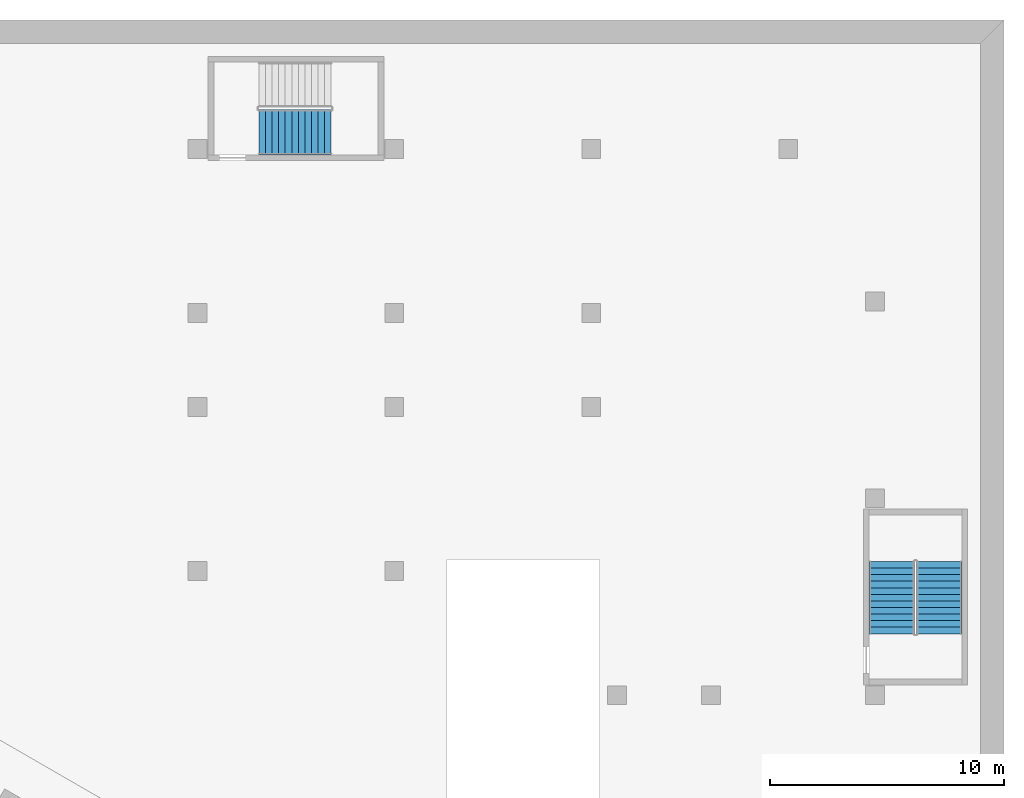
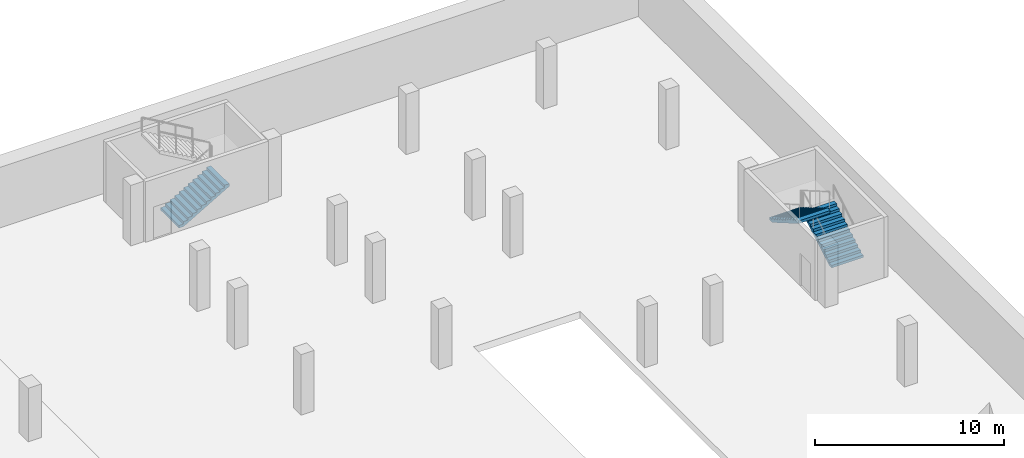
# One storey, part 17 of 25: 3 stair flights, 2 elements without a shape of their own.
"""IFC4 building model written with IfcOpenShell, lengths in metres."""

from ifc_helpers import new_model, si_unit, direction, frame, origin, place, context, subcontext, project, spatial, triangles, material, type_object, element, aggregate, save


model = new_model("IFC4")

# Units and contexts
model_context = context("Model", 3, precision=1e-05, world=origin(), true_north=direction((0.0, 1.0)))
body_context = subcontext(model_context, "Body", "Model", "MODEL_VIEW")
ifc_project = project(units=[si_unit("LENGTHUNIT", "METRE"), si_unit("AREAUNIT", "SQUARE_METRE"), si_unit("VOLUMEUNIT", "CUBIC_METRE"), si_unit("PLANEANGLEUNIT", "RADIAN"), si_unit("MASSUNIT", "GRAM", prefix="KILO")], contexts=[model_context])

# Site, building, storey
site_placement = place(None, origin())
site = spatial("IfcSite", under=ifc_project, at=site_placement, CompositionType="ELEMENT")
building_placement = place(site_placement, origin())
building = spatial("IfcBuilding", under=site, at=building_placement, Name="Verdalira Terraces Hotel", CompositionType="ELEMENT")
storey_placement = place(building_placement, frame((0.0, 0.0, -7.800049)))
storey = spatial("IfcBuildingStorey", under=building, at=storey_placement, Name="B2", CompositionType="ELEMENT", Elevation=-7.800048828125)

# Stair, stair flight
ifc_material_1 = material(Name="Concrete C40", Category="concrete")
stair_type = type_object("IfcStairType", Name="Car park stair 24 risers", PredefinedType="HALF_TURN_STAIR", material=ifc_material_1)
stair_1_placement = place(storey_placement, origin())
stair_1 = element("IfcStair", 1, at=stair_1_placement, inside=storey, type_object=stair_type, Name="B2 Exit stair Basement stair 3", PredefinedType="HALF_TURN_STAIR")
ifc_material_2 = material(Name="Concrete C40", Category="concrete")
stair_flight_type = type_object("IfcStairFlightType", Name="Car park stair flight 24 risers", PredefinedType="STRAIGHT", material=ifc_material_2)
stair_flight_1_placement = place(storey_placement, frame((22.225098, 49.212402, 0.0), z_axis=(0.0, 0.0, 1.0), x_axis=(1.0, 0.0, 0.0)))
stair_flight_1 = element("IfcStairFlight", 2, at=stair_flight_1_placement, type_object=stair_flight_type, Name="Basement stair 3 flight 1", NumberOfRisers=12, NumberOfTreads=11, PredefinedType="STRAIGHT", RiserHeight=0.1625, TreadLength=0.28, context=body_context, shape_type="Tessellation", body=[
    triangles([(0.0, 0.962524, 0.0), (0.298584, 0.962524, 0.0), (3.080078, 0.962524, 1.614258), (0.0, -0.962524, 0.0), (0.298584, -0.962524, 0.0), (3.080078, -0.962524, 1.614258), (3.080078, 0.962524, 1.787598), (2.800049, 0.962524, 1.787598), (3.080078, -0.962524, 1.787598), (2.800049, -0.962524, 1.787598), (2.800049, 0.962524, 1.625), (2.800049, -0.962524, 1.625), (2.52002, 0.962524, 1.625), (2.52002, -0.962524, 1.625), (2.52002, 0.962524, 1.462402), (2.52002, -0.962524, 1.462402), (2.23999, 0.962524, 1.462402), (2.23999, 0.962524, 1.300049), (2.23999, -0.962524, 1.462402), (2.23999, -0.962524, 1.300049), (1.959961, 0.962524, 1.300049), (1.959961, 0.962524, 1.137451), (1.959961, -0.962524, 1.300049), (1.959961, -0.962524, 1.137451), (1.679932, 0.962524, 1.137451), (1.679932, 0.962524, 0.975098), (1.679932, -0.962524, 1.137451), (1.679932, -0.962524, 0.975098), (1.399902, 0.962524, 0.975098), (1.399902, 0.962524, 0.8125), (1.399902, -0.962524, 0.975098), (1.399902, -0.962524, 0.8125), (1.120117, 0.962524, 0.8125), (1.120117, 0.962524, 0.649902), (1.120117, -0.962524, 0.8125), (1.120117, -0.962524, 0.649902), (0.840088, 0.962524, 0.649902), (0.840088, 0.962524, 0.487549), (0.840088, -0.962524, 0.649902), (0.840088, -0.962524, 0.487549), (0.560059, 0.962524, 0.487549), (0.560059, 0.962524, 0.324951), (0.560059, -0.962524, 0.487549), (0.560059, -0.962524, 0.324951), (0.280029, 0.962524, 0.324951), (0.280029, 0.962524, 0.162598), (0.280029, -0.962524, 0.324951), (0.280029, -0.962524, 0.162598), (0.0, 0.962524, 0.162598), (0.0, -0.962524, 0.162598), (0.0, -0.902367, 0.0), (0.0, -0.902367, 0.162598), (0.0, -0.842209, 0.0), (0.0, -0.842209, 0.162598), (0.0, -0.782051, 0.0), (0.0, -0.782051, 0.162598), (0.0, -0.721893, 0.0), (0.0, -0.721893, 0.162598), (0.0, -0.661736, 0.0), (0.0, -0.661736, 0.162598), (0.0, -0.601578, 0.0), (0.0, -0.601578, 0.162598), (0.0, -0.54142, 0.0), (0.0, -0.54142, 0.162598), (0.0, -0.481262, 0.0), (0.0, -0.481262, 0.162598), (0.0, -0.421104, 0.0), (0.0, -0.421104, 0.162598), (0.0, -0.360947, 0.0), (0.0, -0.360947, 0.162598), (0.0, -0.300789, 0.0), (0.0, -0.300789, 0.162598), (0.0, -0.240631, 0.0), (0.0, -0.240631, 0.162598), (0.0, -0.180473, 0.0), (0.0, -0.180473, 0.162598), (0.0, -0.120316, 0.0), (0.0, -0.120316, 0.162598), (0.0, -0.060158, 0.0), (0.0, -0.060158, 0.162598), (0.0, 0.0, 0.0), (0.0, 0.0, 0.162598), (0.0, 0.060158, 0.0), (0.0, 0.060158, 0.162598), (0.0, 0.120316, 0.0), (0.0, 0.120316, 0.162598), (0.0, 0.180473, 0.0), (0.0, 0.180473, 0.162598), (0.0, 0.240631, 0.0), (0.0, 0.240631, 0.162598), (0.0, 0.300789, 0.0), (0.0, 0.300789, 0.162598), (0.0, 0.360947, 0.0), (0.0, 0.360947, 0.162598), (0.0, 0.421104, 0.0), (0.0, 0.421104, 0.162598), (0.0, 0.481262, 0.0), (0.0, 0.481262, 0.162598), (0.0, 0.54142, 0.0), (0.0, 0.54142, 0.162598), (0.0, 0.601578, 0.0), (0.0, 0.601578, 0.162598), (0.0, 0.661736, 0.0), (0.0, 0.661736, 0.162598), (0.0, 0.721893, 0.0), (0.0, 0.721893, 0.162598), (0.0, 0.782051, 0.0), (0.0, 0.782051, 0.162598), (0.0, 0.842209, 0.0), (0.0, 0.842209, 0.162598), (0.0, 0.902367, 0.0), (0.0, 0.902367, 0.162598), (3.080078, -0.902367, 1.787598), (3.080078, -0.842209, 1.787598), (3.080078, -0.782051, 1.787598), (3.080078, -0.721893, 1.787598), (3.080078, -0.661736, 1.787598), (3.080078, -0.601578, 1.787598), (3.080078, -0.54142, 1.787598), (3.080078, -0.481262, 1.787598), (3.080078, -0.421104, 1.787598), (3.080078, -0.360947, 1.787598), (3.080078, -0.300789, 1.787598), (3.080078, -0.240631, 1.787598), (3.080078, -0.180473, 1.787598), (3.080078, -0.120316, 1.787598), (3.080078, -0.060158, 1.787598), (3.080078, 0.0, 1.787598), (3.080078, 0.060158, 1.787598), (3.080078, 0.120316, 1.787598), (3.080078, 0.180473, 1.787598), (3.080078, 0.240631, 1.787598), (3.080078, 0.300789, 1.787598), (3.080078, 0.360947, 1.787598), (3.080078, 0.421104, 1.787598), (3.080078, 0.481262, 1.787598), (3.080078, 0.54142, 1.787598), (3.080078, 0.601578, 1.787598), (3.080078, 0.661736, 1.787598), (3.080078, 0.721893, 1.787598), (3.080078, 0.782051, 1.787598), (3.080078, 0.842209, 1.787598), (3.080078, 0.902367, 1.787598), (3.080078, -0.902367, 1.614258), (3.080078, -0.842209, 1.614258), (3.080078, -0.782051, 1.614258), (3.080078, -0.721893, 1.614258), (3.080078, -0.661736, 1.614258), (3.080078, -0.601578, 1.614258), (3.080078, -0.54142, 1.614258), (3.080078, -0.481262, 1.614258), (3.080078, -0.421104, 1.614258), (3.080078, -0.360947, 1.614258), (3.080078, -0.300789, 1.614258), (3.080078, -0.240631, 1.614258), (3.080078, -0.180473, 1.614258), (3.080078, -0.120316, 1.614258), (3.080078, -0.060158, 1.614258), (3.080078, 0.0, 1.614258), (3.080078, 0.060158, 1.614258), (3.080078, 0.120316, 1.614258), (3.080078, 0.180473, 1.614258), (3.080078, 0.240631, 1.614258), (3.080078, 0.300789, 1.614258), (3.080078, 0.360947, 1.614258), (3.080078, 0.421104, 1.614258), (3.080078, 0.481262, 1.614258), (3.080078, 0.54142, 1.614258), (3.080078, 0.601578, 1.614258), (3.080078, 0.661736, 1.614258), (3.080078, 0.721893, 1.614258), (3.080078, 0.782051, 1.614258), (3.080078, 0.842209, 1.614258), (3.080078, 0.902367, 1.614258)], [[1, 3, 2], [4, 5, 6], [3, 8, 7], [6, 9, 10], [3, 11, 8], [6, 10, 12], [3, 13, 11], [6, 12, 14], [3, 15, 13], [6, 14, 16], [15, 18, 17], [16, 19, 20], [3, 18, 15], [6, 16, 20], [18, 22, 21], [20, 23, 24], [3, 22, 18], [6, 20, 24], [22, 26, 25], [24, 27, 28], [3, 26, 22], [6, 24, 28], [26, 30, 29], [28, 31, 32], [3, 30, 26], [6, 28, 32], [30, 34, 33], [32, 35, 36], [3, 34, 30], [6, 32, 36], [34, 38, 37], [36, 39, 40], [3, 38, 34], [6, 36, 40], [38, 42, 41], [40, 43, 44], [3, 42, 38], [6, 40, 44], [1, 42, 3], [4, 6, 44], [42, 46, 45], [44, 47, 48], [1, 46, 42], [4, 44, 48], [46, 1, 49], [48, 50, 4], [4, 52, 51], [4, 50, 52], [51, 54, 53], [51, 52, 54], [53, 56, 55], [53, 54, 56], [55, 58, 57], [55, 56, 58], [57, 60, 59], [57, 58, 60], [59, 62, 61], [59, 60, 62], [61, 64, 63], [61, 62, 64], [63, 66, 65], [63, 64, 66], [65, 68, 67], [65, 66, 68], [67, 70, 69], [67, 68, 70], [69, 72, 71], [69, 70, 72], [71, 74, 73], [71, 72, 74], [73, 76, 75], [73, 74, 76], [75, 78, 77], [75, 76, 78], [77, 80, 79], [77, 78, 80], [79, 82, 81], [79, 80, 82], [81, 84, 83], [81, 82, 84], [83, 86, 85], [83, 84, 86], [85, 88, 87], [85, 86, 88], [87, 90, 89], [87, 88, 90], [89, 92, 91], [89, 90, 92], [91, 94, 93], [91, 92, 94], [93, 96, 95], [93, 94, 96], [95, 98, 97], [95, 96, 98], [97, 100, 99], [97, 98, 100], [99, 102, 101], [99, 100, 102], [101, 104, 103], [101, 102, 104], [103, 106, 105], [103, 104, 106], [105, 108, 107], [105, 106, 108], [107, 110, 109], [107, 108, 110], [109, 112, 111], [109, 110, 112], [111, 49, 1], [111, 112, 49], [50, 48, 52], [52, 48, 54], [54, 48, 56], [56, 48, 58], [58, 48, 60], [60, 48, 62], [62, 48, 64], [64, 48, 66], [66, 48, 68], [68, 48, 70], [70, 48, 72], [72, 48, 74], [74, 48, 76], [76, 48, 78], [78, 48, 80], [80, 48, 82], [82, 48, 84], [84, 48, 86], [86, 48, 88], [88, 48, 90], [90, 48, 92], [92, 48, 94], [94, 48, 96], [96, 48, 98], [98, 48, 100], [100, 48, 102], [102, 48, 104], [104, 48, 106], [106, 48, 108], [108, 48, 110], [110, 48, 112], [112, 48, 49], [49, 48, 46], [48, 45, 46], [48, 47, 45], [47, 42, 45], [47, 44, 42], [44, 41, 42], [44, 43, 41], [43, 38, 41], [43, 40, 38], [40, 37, 38], [40, 39, 37], [39, 34, 37], [39, 36, 34], [36, 33, 34], [36, 35, 33], [35, 30, 33], [35, 32, 30], [32, 29, 30], [32, 31, 29], [31, 26, 29], [31, 28, 26], [28, 25, 26], [28, 27, 25], [27, 22, 25], [27, 24, 22], [24, 21, 22], [24, 23, 21], [23, 18, 21], [23, 20, 18], [20, 17, 18], [20, 19, 17], [19, 15, 17], [19, 16, 15], [16, 13, 15], [16, 14, 13], [14, 11, 13], [14, 12, 11], [12, 8, 11], [12, 10, 8], [9, 113, 10], [113, 114, 10], [114, 115, 10], [115, 116, 10], [116, 117, 10], [117, 118, 10], [118, 119, 10], [119, 120, 10], [120, 121, 10], [121, 122, 10], [122, 123, 10], [123, 124, 10], [124, 125, 10], [125, 126, 10], [126, 127, 10], [127, 128, 10], [128, 129, 10], [129, 130, 10], [130, 131, 10], [131, 132, 10], [132, 133, 10], [133, 134, 10], [134, 135, 10], [135, 136, 10], [136, 137, 10], [137, 138, 10], [138, 139, 10], [139, 140, 10], [140, 141, 10], [141, 142, 10], [142, 143, 10], [143, 7, 10], [7, 8, 10], [9, 144, 113], [9, 6, 144], [113, 145, 114], [113, 144, 145], [114, 146, 115], [114, 145, 146], [115, 147, 116], [115, 146, 147], [116, 148, 117], [116, 147, 148], [117, 149, 118], [117, 148, 149], [118, 150, 119], [118, 149, 150], [119, 151, 120], [119, 150, 151], [120, 152, 121], [120, 151, 152], [121, 153, 122], [121, 152, 153], [122, 154, 123], [122, 153, 154], [123, 155, 124], [123, 154, 155], [124, 156, 125], [124, 155, 156], [125, 157, 126], [125, 156, 157], [126, 158, 127], [126, 157, 158], [127, 159, 128], [127, 158, 159], [128, 160, 129], [128, 159, 160], [129, 161, 130], [129, 160, 161], [130, 162, 131], [130, 161, 162], [131, 163, 132], [131, 162, 163], [132, 164, 133], [132, 163, 164], [133, 165, 134], [133, 164, 165], [134, 166, 135], [134, 165, 166], [135, 167, 136], [135, 166, 167], [136, 168, 137], [136, 167, 168], [137, 169, 138], [137, 168, 169], [138, 170, 139], [138, 169, 170], [139, 171, 140], [139, 170, 171], [140, 172, 141], [140, 171, 172], [141, 173, 142], [141, 172, 173], [142, 174, 143], [142, 173, 174], [143, 3, 7], [143, 174, 3], [6, 5, 144], [144, 5, 145], [145, 5, 146], [146, 5, 147], [147, 5, 148], [148, 5, 149], [149, 5, 150], [150, 5, 151], [151, 5, 152], [152, 5, 153], [153, 5, 154], [154, 5, 155], [155, 5, 156], [156, 5, 157], [157, 5, 158], [158, 5, 159], [159, 5, 160], [160, 5, 161], [161, 5, 162], [162, 5, 163], [163, 5, 164], [164, 5, 165], [165, 5, 166], [166, 5, 167], [167, 5, 168], [168, 5, 169], [169, 5, 170], [170, 5, 171], [171, 5, 172], [172, 5, 173], [173, 5, 174], [174, 5, 3], [3, 5, 2], [4, 51, 5], [51, 53, 5], [53, 55, 5], [55, 57, 5], [57, 59, 5], [59, 61, 5], [61, 63, 5], [63, 65, 5], [65, 67, 5], [67, 69, 5], [69, 71, 5], [71, 73, 5], [73, 75, 5], [75, 77, 5], [77, 79, 5], [79, 81, 5], [81, 83, 5], [83, 85, 5], [85, 87, 5], [87, 89, 5], [89, 91, 5], [91, 93, 5], [93, 95, 5], [95, 97, 5], [97, 99, 5], [99, 101, 5], [101, 103, 5], [103, 105, 5], [105, 107, 5], [107, 109, 5], [109, 111, 5], [111, 1, 5], [1, 2, 5]], closed=True),
])
aggregate(stair_1, [stair_flight_1])

# Stair, stair flights
stair_2_placement = place(storey_placement, origin())
stair_2 = element("IfcStair", 3, at=stair_2_placement, inside=storey, type_object=stair_type, Name="B2 Exit stair Basement stair 5", PredefinedType="HALF_TURN_STAIR")
stair_flight_2_placement = place(storey_placement, frame((51.237549, 27.824951, 0.0), z_axis=(0.0, 0.0, 1.0), x_axis=(0.0, 1.0, 0.0)))
stair_flight_2 = element("IfcStairFlight", 4, at=stair_flight_2_placement, type_object=stair_flight_type, Name="Basement stair 5 flight 1", NumberOfRisers=12, NumberOfTreads=11, PredefinedType="STRAIGHT", RiserHeight=0.1625, TreadLength=0.28, context=body_context, shape_type="Tessellation", body=[
    triangles([(0.0, 0.962524, 0.0), (0.298584, 0.962524, 0.0), (3.080078, 0.962524, 1.614258), (0.0, -0.962524, 0.0), (0.298584, -0.962524, 0.0), (3.080078, -0.962524, 1.614258), (3.080078, 0.962524, 1.787598), (2.800049, 0.962524, 1.787598), (3.080078, -0.962524, 1.787598), (2.800049, -0.962524, 1.787598), (2.800049, 0.962524, 1.625), (2.800049, -0.962524, 1.625), (2.52002, 0.962524, 1.625), (2.52002, -0.962524, 1.625), (2.52002, 0.962524, 1.462402), (2.52002, -0.962524, 1.462402), (2.23999, 0.962524, 1.462402), (2.23999, 0.962524, 1.300049), (2.23999, -0.962524, 1.462402), (2.23999, -0.962524, 1.300049), (1.959961, 0.962524, 1.300049), (1.959961, 0.962524, 1.137451), (1.959961, -0.962524, 1.300049), (1.959961, -0.962524, 1.137451), (1.679932, 0.962524, 1.137451), (1.679932, 0.962524, 0.975098), (1.679932, -0.962524, 1.137451), (1.679932, -0.962524, 0.975098), (1.399902, 0.962524, 0.975098), (1.399902, 0.962524, 0.8125), (1.399902, -0.962524, 0.975098), (1.399902, -0.962524, 0.8125), (1.120117, 0.962524, 0.8125), (1.120117, 0.962524, 0.649902), (1.120117, -0.962524, 0.8125), (1.120117, -0.962524, 0.649902), (0.840088, 0.962524, 0.649902), (0.840088, 0.962524, 0.487549), (0.840088, -0.962524, 0.649902), (0.840088, -0.962524, 0.487549), (0.560059, 0.962524, 0.487549), (0.560059, 0.962524, 0.324951), (0.560059, -0.962524, 0.487549), (0.560059, -0.962524, 0.324951), (0.280029, 0.962524, 0.324951), (0.280029, 0.962524, 0.162598), (0.280029, -0.962524, 0.324951), (0.280029, -0.962524, 0.162598), (0.0, 0.962524, 0.162598), (0.0, -0.962524, 0.162598), (0.0, -0.902367, 0.0), (0.0, -0.902367, 0.162598), (0.0, -0.842209, 0.0), (0.0, -0.842209, 0.162598), (0.0, -0.782051, 0.0), (0.0, -0.782051, 0.162598), (0.0, -0.721893, 0.0), (0.0, -0.721893, 0.162598), (0.0, -0.661736, 0.0), (0.0, -0.661736, 0.162598), (0.0, -0.601578, 0.0), (0.0, -0.601578, 0.162598), (0.0, -0.54142, 0.0), (0.0, -0.54142, 0.162598), (0.0, -0.481262, 0.0), (0.0, -0.481262, 0.162598), (0.0, -0.421104, 0.0), (0.0, -0.421104, 0.162598), (0.0, -0.360947, 0.0), (0.0, -0.360947, 0.162598), (0.0, -0.300789, 0.0), (0.0, -0.300789, 0.162598), (0.0, -0.240631, 0.0), (0.0, -0.240631, 0.162598), (0.0, -0.180473, 0.0), (0.0, -0.180473, 0.162598), (0.0, -0.120316, 0.0), (0.0, -0.120316, 0.162598), (0.0, -0.060158, 0.0), (0.0, -0.060158, 0.162598), (0.0, 0.0, 0.0), (0.0, 0.0, 0.162598), (0.0, 0.060158, 0.0), (0.0, 0.060158, 0.162598), (0.0, 0.120316, 0.0), (0.0, 0.120316, 0.162598), (0.0, 0.180473, 0.0), (0.0, 0.180473, 0.162598), (0.0, 0.240631, 0.0), (0.0, 0.240631, 0.162598), (0.0, 0.300789, 0.0), (0.0, 0.300789, 0.162598), (0.0, 0.360947, 0.0), (0.0, 0.360947, 0.162598), (0.0, 0.421104, 0.0), (0.0, 0.421104, 0.162598), (0.0, 0.481262, 0.0), (0.0, 0.481262, 0.162598), (0.0, 0.54142, 0.0), (0.0, 0.54142, 0.162598), (0.0, 0.601578, 0.0), (0.0, 0.601578, 0.162598), (0.0, 0.661736, 0.0), (0.0, 0.661736, 0.162598), (0.0, 0.721893, 0.0), (0.0, 0.721893, 0.162598), (0.0, 0.782051, 0.0), (0.0, 0.782051, 0.162598), (0.0, 0.842209, 0.0), (0.0, 0.842209, 0.162598), (0.0, 0.902367, 0.0), (0.0, 0.902367, 0.162598), (3.080078, -0.902367, 1.787598), (3.080078, -0.842209, 1.787598), (3.080078, -0.782051, 1.787598), (3.080078, -0.721893, 1.787598), (3.080078, -0.661736, 1.787598), (3.080078, -0.601578, 1.787598), (3.080078, -0.54142, 1.787598), (3.080078, -0.481262, 1.787598), (3.080078, -0.421104, 1.787598), (3.080078, -0.360947, 1.787598), (3.080078, -0.300789, 1.787598), (3.080078, -0.240631, 1.787598), (3.080078, -0.180473, 1.787598), (3.080078, -0.120316, 1.787598), (3.080078, -0.060158, 1.787598), (3.080078, 0.0, 1.787598), (3.080078, 0.060158, 1.787598), (3.080078, 0.120316, 1.787598), (3.080078, 0.180473, 1.787598), (3.080078, 0.240631, 1.787598), (3.080078, 0.300789, 1.787598), (3.080078, 0.360947, 1.787598), (3.080078, 0.421104, 1.787598), (3.080078, 0.481262, 1.787598), (3.080078, 0.54142, 1.787598), (3.080078, 0.601578, 1.787598), (3.080078, 0.661736, 1.787598), (3.080078, 0.721893, 1.787598), (3.080078, 0.782051, 1.787598), (3.080078, 0.842209, 1.787598), (3.080078, 0.902367, 1.787598), (3.080078, -0.902367, 1.614258), (3.080078, -0.842209, 1.614258), (3.080078, -0.782051, 1.614258), (3.080078, -0.721893, 1.614258), (3.080078, -0.661736, 1.614258), (3.080078, -0.601578, 1.614258), (3.080078, -0.54142, 1.614258), (3.080078, -0.481262, 1.614258), (3.080078, -0.421104, 1.614258), (3.080078, -0.360947, 1.614258), (3.080078, -0.300789, 1.614258), (3.080078, -0.240631, 1.614258), (3.080078, -0.180473, 1.614258), (3.080078, -0.120316, 1.614258), (3.080078, -0.060158, 1.614258), (3.080078, 0.0, 1.614258), (3.080078, 0.060158, 1.614258), (3.080078, 0.120316, 1.614258), (3.080078, 0.180473, 1.614258), (3.080078, 0.240631, 1.614258), (3.080078, 0.300789, 1.614258), (3.080078, 0.360947, 1.614258), (3.080078, 0.421104, 1.614258), (3.080078, 0.481262, 1.614258), (3.080078, 0.54142, 1.614258), (3.080078, 0.601578, 1.614258), (3.080078, 0.661736, 1.614258), (3.080078, 0.721893, 1.614258), (3.080078, 0.782051, 1.614258), (3.080078, 0.842209, 1.614258), (3.080078, 0.902367, 1.614258)], [[1, 3, 2], [4, 5, 6], [3, 8, 7], [6, 9, 10], [3, 11, 8], [6, 10, 12], [3, 13, 11], [6, 12, 14], [3, 15, 13], [6, 14, 16], [15, 18, 17], [16, 19, 20], [3, 18, 15], [6, 16, 20], [18, 22, 21], [20, 23, 24], [3, 22, 18], [6, 20, 24], [22, 26, 25], [24, 27, 28], [3, 26, 22], [6, 24, 28], [26, 30, 29], [28, 31, 32], [3, 30, 26], [6, 28, 32], [30, 34, 33], [32, 35, 36], [3, 34, 30], [6, 32, 36], [34, 38, 37], [36, 39, 40], [3, 38, 34], [6, 36, 40], [38, 42, 41], [40, 43, 44], [3, 42, 38], [6, 40, 44], [1, 42, 3], [4, 6, 44], [42, 46, 45], [44, 47, 48], [1, 46, 42], [4, 44, 48], [46, 1, 49], [48, 50, 4], [4, 52, 51], [4, 50, 52], [51, 54, 53], [51, 52, 54], [53, 56, 55], [53, 54, 56], [55, 58, 57], [55, 56, 58], [57, 60, 59], [57, 58, 60], [59, 62, 61], [59, 60, 62], [61, 64, 63], [61, 62, 64], [63, 66, 65], [63, 64, 66], [65, 68, 67], [65, 66, 68], [67, 70, 69], [67, 68, 70], [69, 72, 71], [69, 70, 72], [71, 74, 73], [71, 72, 74], [73, 76, 75], [73, 74, 76], [75, 78, 77], [75, 76, 78], [77, 80, 79], [77, 78, 80], [79, 82, 81], [79, 80, 82], [81, 84, 83], [81, 82, 84], [83, 86, 85], [83, 84, 86], [85, 88, 87], [85, 86, 88], [87, 90, 89], [87, 88, 90], [89, 92, 91], [89, 90, 92], [91, 94, 93], [91, 92, 94], [93, 96, 95], [93, 94, 96], [95, 98, 97], [95, 96, 98], [97, 100, 99], [97, 98, 100], [99, 102, 101], [99, 100, 102], [101, 104, 103], [101, 102, 104], [103, 106, 105], [103, 104, 106], [105, 108, 107], [105, 106, 108], [107, 110, 109], [107, 108, 110], [109, 112, 111], [109, 110, 112], [111, 49, 1], [111, 112, 49], [50, 48, 52], [52, 48, 54], [54, 48, 56], [56, 48, 58], [58, 48, 60], [60, 48, 62], [62, 48, 64], [64, 48, 66], [66, 48, 68], [68, 48, 70], [70, 48, 72], [72, 48, 74], [74, 48, 76], [76, 48, 78], [78, 48, 80], [80, 48, 82], [82, 48, 84], [84, 48, 86], [86, 48, 88], [88, 48, 90], [90, 48, 92], [92, 48, 94], [94, 48, 96], [96, 48, 98], [98, 48, 100], [100, 48, 102], [102, 48, 104], [104, 48, 106], [106, 48, 108], [108, 48, 110], [110, 48, 112], [112, 48, 49], [49, 48, 46], [48, 45, 46], [48, 47, 45], [47, 42, 45], [47, 44, 42], [44, 41, 42], [44, 43, 41], [43, 38, 41], [43, 40, 38], [40, 37, 38], [40, 39, 37], [39, 34, 37], [39, 36, 34], [36, 33, 34], [36, 35, 33], [35, 30, 33], [35, 32, 30], [32, 29, 30], [32, 31, 29], [31, 26, 29], [31, 28, 26], [28, 25, 26], [28, 27, 25], [27, 22, 25], [27, 24, 22], [24, 21, 22], [24, 23, 21], [23, 18, 21], [23, 20, 18], [20, 17, 18], [20, 19, 17], [19, 15, 17], [19, 16, 15], [16, 13, 15], [16, 14, 13], [14, 11, 13], [14, 12, 11], [12, 8, 11], [12, 10, 8], [9, 113, 10], [113, 114, 10], [114, 115, 10], [115, 116, 10], [116, 117, 10], [117, 118, 10], [118, 119, 10], [119, 120, 10], [120, 121, 10], [121, 122, 10], [122, 123, 10], [123, 124, 10], [124, 125, 10], [125, 126, 10], [126, 127, 10], [127, 128, 10], [128, 129, 10], [129, 130, 10], [130, 131, 10], [131, 132, 10], [132, 133, 10], [133, 134, 10], [134, 135, 10], [135, 136, 10], [136, 137, 10], [137, 138, 10], [138, 139, 10], [139, 140, 10], [140, 141, 10], [141, 142, 10], [142, 143, 10], [143, 7, 10], [7, 8, 10], [9, 144, 113], [9, 6, 144], [113, 145, 114], [113, 144, 145], [114, 146, 115], [114, 145, 146], [115, 147, 116], [115, 146, 147], [116, 148, 117], [116, 147, 148], [117, 149, 118], [117, 148, 149], [118, 150, 119], [118, 149, 150], [119, 151, 120], [119, 150, 151], [120, 152, 121], [120, 151, 152], [121, 153, 122], [121, 152, 153], [122, 154, 123], [122, 153, 154], [123, 155, 124], [123, 154, 155], [124, 156, 125], [124, 155, 156], [125, 157, 126], [125, 156, 157], [126, 158, 127], [126, 157, 158], [127, 159, 128], [127, 158, 159], [128, 160, 129], [128, 159, 160], [129, 161, 130], [129, 160, 161], [130, 162, 131], [130, 161, 162], [131, 163, 132], [131, 162, 163], [132, 164, 133], [132, 163, 164], [133, 165, 134], [133, 164, 165], [134, 166, 135], [134, 165, 166], [135, 167, 136], [135, 166, 167], [136, 168, 137], [136, 167, 168], [137, 169, 138], [137, 168, 169], [138, 170, 139], [138, 169, 170], [139, 171, 140], [139, 170, 171], [140, 172, 141], [140, 171, 172], [141, 173, 142], [141, 172, 173], [142, 174, 143], [142, 173, 174], [143, 3, 7], [143, 174, 3], [6, 5, 144], [144, 5, 145], [145, 5, 146], [146, 5, 147], [147, 5, 148], [148, 5, 149], [149, 5, 150], [150, 5, 151], [151, 5, 152], [152, 5, 153], [153, 5, 154], [154, 5, 155], [155, 5, 156], [156, 5, 157], [157, 5, 158], [158, 5, 159], [159, 5, 160], [160, 5, 161], [161, 5, 162], [162, 5, 163], [163, 5, 164], [164, 5, 165], [165, 5, 166], [166, 5, 167], [167, 5, 168], [168, 5, 169], [169, 5, 170], [170, 5, 171], [171, 5, 172], [172, 5, 173], [173, 5, 174], [174, 5, 3], [3, 5, 2], [4, 51, 5], [51, 53, 5], [53, 55, 5], [55, 57, 5], [57, 59, 5], [59, 61, 5], [61, 63, 5], [63, 65, 5], [65, 67, 5], [67, 69, 5], [69, 71, 5], [71, 73, 5], [73, 75, 5], [75, 77, 5], [77, 79, 5], [79, 81, 5], [81, 83, 5], [83, 85, 5], [85, 87, 5], [87, 89, 5], [89, 91, 5], [91, 93, 5], [93, 95, 5], [95, 97, 5], [97, 99, 5], [99, 101, 5], [101, 103, 5], [103, 105, 5], [105, 107, 5], [107, 109, 5], [109, 111, 5], [111, 1, 5], [1, 2, 5]], closed=True),
])
stair_flight_3_placement = place(storey_placement, frame((49.212402, 30.905029, 1.949951), z_axis=(0.0, 0.0, 1.0), x_axis=(0.0, -1.0, 0.0)))
stair_flight_3 = element("IfcStairFlight", 5, at=stair_flight_3_placement, type_object=stair_flight_type, Name="Basement stair 5 flight 2", NumberOfRisers=12, NumberOfTreads=11, PredefinedType="STRAIGHT", RiserHeight=0.1625, TreadLength=0.28, context=body_context, shape_type="Tessellation", body=[
    triangles([(0.0, 0.962524, 0.0), (0.298584, 0.962524, 0.0), (3.080078, 0.962524, 1.614258), (0.0, -0.962524, 0.0), (0.298584, -0.962524, 0.0), (3.080078, -0.962524, 1.614258), (3.080078, 0.962524, 1.787598), (2.800049, 0.962524, 1.787598), (3.080078, -0.962524, 1.787598), (2.800049, -0.962524, 1.787598), (2.800049, 0.962524, 1.625), (2.800049, -0.962524, 1.625), (2.52002, 0.962524, 1.625), (2.52002, -0.962524, 1.625), (2.52002, 0.962524, 1.462402), (2.52002, -0.962524, 1.462402), (2.23999, 0.962524, 1.462402), (2.23999, 0.962524, 1.300049), (2.23999, -0.962524, 1.462402), (2.23999, -0.962524, 1.300049), (1.959961, 0.962524, 1.300049), (1.959961, 0.962524, 1.137451), (1.959961, -0.962524, 1.300049), (1.959961, -0.962524, 1.137451), (1.679932, 0.962524, 1.137451), (1.679932, 0.962524, 0.975098), (1.679932, -0.962524, 1.137451), (1.679932, -0.962524, 0.975098), (1.399902, 0.962524, 0.975098), (1.399902, 0.962524, 0.8125), (1.399902, -0.962524, 0.975098), (1.399902, -0.962524, 0.8125), (1.120117, 0.962524, 0.8125), (1.120117, 0.962524, 0.649902), (1.120117, -0.962524, 0.8125), (1.120117, -0.962524, 0.649902), (0.840088, 0.962524, 0.649902), (0.840088, 0.962524, 0.487549), (0.840088, -0.962524, 0.649902), (0.840088, -0.962524, 0.487549), (0.560059, 0.962524, 0.487549), (0.560059, 0.962524, 0.324951), (0.560059, -0.962524, 0.487549), (0.560059, -0.962524, 0.324951), (0.280029, 0.962524, 0.324951), (0.280029, 0.962524, 0.162598), (0.280029, -0.962524, 0.324951), (0.280029, -0.962524, 0.162598), (0.0, 0.962524, 0.162598), (0.0, -0.962524, 0.162598), (0.0, -0.902367, 0.0), (0.0, -0.902367, 0.162598), (0.0, -0.842209, 0.0), (0.0, -0.842209, 0.162598), (0.0, -0.782051, 0.0), (0.0, -0.782051, 0.162598), (0.0, -0.721893, 0.0), (0.0, -0.721893, 0.162598), (0.0, -0.661736, 0.0), (0.0, -0.661736, 0.162598), (0.0, -0.601578, 0.0), (0.0, -0.601578, 0.162598), (0.0, -0.54142, 0.0), (0.0, -0.54142, 0.162598), (0.0, -0.481262, 0.0), (0.0, -0.481262, 0.162598), (0.0, -0.421104, 0.0), (0.0, -0.421104, 0.162598), (0.0, -0.360947, 0.0), (0.0, -0.360947, 0.162598), (0.0, -0.300789, 0.0), (0.0, -0.300789, 0.162598), (0.0, -0.240631, 0.0), (0.0, -0.240631, 0.162598), (0.0, -0.180473, 0.0), (0.0, -0.180473, 0.162598), (0.0, -0.120316, 0.0), (0.0, -0.120316, 0.162598), (0.0, -0.060158, 0.0), (0.0, -0.060158, 0.162598), (0.0, 0.0, 0.0), (0.0, 0.0, 0.162598), (0.0, 0.060158, 0.0), (0.0, 0.060158, 0.162598), (0.0, 0.120316, 0.0), (0.0, 0.120316, 0.162598), (0.0, 0.180473, 0.0), (0.0, 0.180473, 0.162598), (0.0, 0.240631, 0.0), (0.0, 0.240631, 0.162598), (0.0, 0.300789, 0.0), (0.0, 0.300789, 0.162598), (0.0, 0.360947, 0.0), (0.0, 0.360947, 0.162598), (0.0, 0.421104, 0.0), (0.0, 0.421104, 0.162598), (0.0, 0.481262, 0.0), (0.0, 0.481262, 0.162598), (0.0, 0.54142, 0.0), (0.0, 0.54142, 0.162598), (0.0, 0.601578, 0.0), (0.0, 0.601578, 0.162598), (0.0, 0.661736, 0.0), (0.0, 0.661736, 0.162598), (0.0, 0.721893, 0.0), (0.0, 0.721893, 0.162598), (0.0, 0.782051, 0.0), (0.0, 0.782051, 0.162598), (0.0, 0.842209, 0.0), (0.0, 0.842209, 0.162598), (0.0, 0.902367, 0.0), (0.0, 0.902367, 0.162598), (3.080078, -0.902367, 1.787598), (3.080078, -0.842209, 1.787598), (3.080078, -0.782051, 1.787598), (3.080078, -0.721893, 1.787598), (3.080078, -0.661736, 1.787598), (3.080078, -0.601578, 1.787598), (3.080078, -0.54142, 1.787598), (3.080078, -0.481262, 1.787598), (3.080078, -0.421104, 1.787598), (3.080078, -0.360947, 1.787598), (3.080078, -0.300789, 1.787598), (3.080078, -0.240631, 1.787598), (3.080078, -0.180473, 1.787598), (3.080078, -0.120316, 1.787598), (3.080078, -0.060158, 1.787598), (3.080078, 0.0, 1.787598), (3.080078, 0.060158, 1.787598), (3.080078, 0.120316, 1.787598), (3.080078, 0.180473, 1.787598), (3.080078, 0.240631, 1.787598), (3.080078, 0.300789, 1.787598), (3.080078, 0.360947, 1.787598), (3.080078, 0.421104, 1.787598), (3.080078, 0.481262, 1.787598), (3.080078, 0.54142, 1.787598), (3.080078, 0.601578, 1.787598), (3.080078, 0.661736, 1.787598), (3.080078, 0.721893, 1.787598), (3.080078, 0.782051, 1.787598), (3.080078, 0.842209, 1.787598), (3.080078, 0.902367, 1.787598), (3.080078, -0.902367, 1.614258), (3.080078, -0.842209, 1.614258), (3.080078, -0.782051, 1.614258), (3.080078, -0.721893, 1.614258), (3.080078, -0.661736, 1.614258), (3.080078, -0.601578, 1.614258), (3.080078, -0.54142, 1.614258), (3.080078, -0.481262, 1.614258), (3.080078, -0.421104, 1.614258), (3.080078, -0.360947, 1.614258), (3.080078, -0.300789, 1.614258), (3.080078, -0.240631, 1.614258), (3.080078, -0.180473, 1.614258), (3.080078, -0.120316, 1.614258), (3.080078, -0.060158, 1.614258), (3.080078, 0.0, 1.614258), (3.080078, 0.060158, 1.614258), (3.080078, 0.120316, 1.614258), (3.080078, 0.180473, 1.614258), (3.080078, 0.240631, 1.614258), (3.080078, 0.300789, 1.614258), (3.080078, 0.360947, 1.614258), (3.080078, 0.421104, 1.614258), (3.080078, 0.481262, 1.614258), (3.080078, 0.54142, 1.614258), (3.080078, 0.601578, 1.614258), (3.080078, 0.661736, 1.614258), (3.080078, 0.721893, 1.614258), (3.080078, 0.782051, 1.614258), (3.080078, 0.842209, 1.614258), (3.080078, 0.902367, 1.614258)], [[1, 3, 2], [4, 5, 6], [3, 8, 7], [6, 9, 10], [3, 11, 8], [6, 10, 12], [3, 13, 11], [6, 12, 14], [3, 15, 13], [6, 14, 16], [15, 18, 17], [16, 19, 20], [3, 18, 15], [6, 16, 20], [18, 22, 21], [20, 23, 24], [3, 22, 18], [6, 20, 24], [22, 26, 25], [24, 27, 28], [3, 26, 22], [6, 24, 28], [26, 30, 29], [28, 31, 32], [3, 30, 26], [6, 28, 32], [30, 34, 33], [32, 35, 36], [3, 34, 30], [6, 32, 36], [34, 38, 37], [36, 39, 40], [3, 38, 34], [6, 36, 40], [38, 42, 41], [40, 43, 44], [3, 42, 38], [6, 40, 44], [1, 42, 3], [4, 6, 44], [42, 46, 45], [44, 47, 48], [1, 46, 42], [4, 44, 48], [46, 1, 49], [48, 50, 4], [4, 52, 51], [4, 50, 52], [51, 54, 53], [51, 52, 54], [53, 56, 55], [53, 54, 56], [55, 58, 57], [55, 56, 58], [57, 60, 59], [57, 58, 60], [59, 62, 61], [59, 60, 62], [61, 64, 63], [61, 62, 64], [63, 66, 65], [63, 64, 66], [65, 68, 67], [65, 66, 68], [67, 70, 69], [67, 68, 70], [69, 72, 71], [69, 70, 72], [71, 74, 73], [71, 72, 74], [73, 76, 75], [73, 74, 76], [75, 78, 77], [75, 76, 78], [77, 80, 79], [77, 78, 80], [79, 82, 81], [79, 80, 82], [81, 84, 83], [81, 82, 84], [83, 86, 85], [83, 84, 86], [85, 88, 87], [85, 86, 88], [87, 90, 89], [87, 88, 90], [89, 92, 91], [89, 90, 92], [91, 94, 93], [91, 92, 94], [93, 96, 95], [93, 94, 96], [95, 98, 97], [95, 96, 98], [97, 100, 99], [97, 98, 100], [99, 102, 101], [99, 100, 102], [101, 104, 103], [101, 102, 104], [103, 106, 105], [103, 104, 106], [105, 108, 107], [105, 106, 108], [107, 110, 109], [107, 108, 110], [109, 112, 111], [109, 110, 112], [111, 49, 1], [111, 112, 49], [50, 48, 52], [52, 48, 54], [54, 48, 56], [56, 48, 58], [58, 48, 60], [60, 48, 62], [62, 48, 64], [64, 48, 66], [66, 48, 68], [68, 48, 70], [70, 48, 72], [72, 48, 74], [74, 48, 76], [76, 48, 78], [78, 48, 80], [80, 48, 82], [82, 48, 84], [84, 48, 86], [86, 48, 88], [88, 48, 90], [90, 48, 92], [92, 48, 94], [94, 48, 96], [96, 48, 98], [98, 48, 100], [100, 48, 102], [102, 48, 104], [104, 48, 106], [106, 48, 108], [108, 48, 110], [110, 48, 112], [112, 48, 49], [49, 48, 46], [48, 45, 46], [48, 47, 45], [47, 42, 45], [47, 44, 42], [44, 41, 42], [44, 43, 41], [43, 38, 41], [43, 40, 38], [40, 37, 38], [40, 39, 37], [39, 34, 37], [39, 36, 34], [36, 33, 34], [36, 35, 33], [35, 30, 33], [35, 32, 30], [32, 29, 30], [32, 31, 29], [31, 26, 29], [31, 28, 26], [28, 25, 26], [28, 27, 25], [27, 22, 25], [27, 24, 22], [24, 21, 22], [24, 23, 21], [23, 18, 21], [23, 20, 18], [20, 17, 18], [20, 19, 17], [19, 15, 17], [19, 16, 15], [16, 13, 15], [16, 14, 13], [14, 11, 13], [14, 12, 11], [12, 8, 11], [12, 10, 8], [9, 113, 10], [113, 114, 10], [114, 115, 10], [115, 116, 10], [116, 117, 10], [117, 118, 10], [118, 119, 10], [119, 120, 10], [120, 121, 10], [121, 122, 10], [122, 123, 10], [123, 124, 10], [124, 125, 10], [125, 126, 10], [126, 127, 10], [127, 128, 10], [128, 129, 10], [129, 130, 10], [130, 131, 10], [131, 132, 10], [132, 133, 10], [133, 134, 10], [134, 135, 10], [135, 136, 10], [136, 137, 10], [137, 138, 10], [138, 139, 10], [139, 140, 10], [140, 141, 10], [141, 142, 10], [142, 143, 10], [143, 7, 10], [7, 8, 10], [9, 144, 113], [9, 6, 144], [113, 145, 114], [113, 144, 145], [114, 146, 115], [114, 145, 146], [115, 147, 116], [115, 146, 147], [116, 148, 117], [116, 147, 148], [117, 149, 118], [117, 148, 149], [118, 150, 119], [118, 149, 150], [119, 151, 120], [119, 150, 151], [120, 152, 121], [120, 151, 152], [121, 153, 122], [121, 152, 153], [122, 154, 123], [122, 153, 154], [123, 155, 124], [123, 154, 155], [124, 156, 125], [124, 155, 156], [125, 157, 126], [125, 156, 157], [126, 158, 127], [126, 157, 158], [127, 159, 128], [127, 158, 159], [128, 160, 129], [128, 159, 160], [129, 161, 130], [129, 160, 161], [130, 162, 131], [130, 161, 162], [131, 163, 132], [131, 162, 163], [132, 164, 133], [132, 163, 164], [133, 165, 134], [133, 164, 165], [134, 166, 135], [134, 165, 166], [135, 167, 136], [135, 166, 167], [136, 168, 137], [136, 167, 168], [137, 169, 138], [137, 168, 169], [138, 170, 139], [138, 169, 170], [139, 171, 140], [139, 170, 171], [140, 172, 141], [140, 171, 172], [141, 173, 142], [141, 172, 173], [142, 174, 143], [142, 173, 174], [143, 3, 7], [143, 174, 3], [6, 5, 144], [144, 5, 145], [145, 5, 146], [146, 5, 147], [147, 5, 148], [148, 5, 149], [149, 5, 150], [150, 5, 151], [151, 5, 152], [152, 5, 153], [153, 5, 154], [154, 5, 155], [155, 5, 156], [156, 5, 157], [157, 5, 158], [158, 5, 159], [159, 5, 160], [160, 5, 161], [161, 5, 162], [162, 5, 163], [163, 5, 164], [164, 5, 165], [165, 5, 166], [166, 5, 167], [167, 5, 168], [168, 5, 169], [169, 5, 170], [170, 5, 171], [171, 5, 172], [172, 5, 173], [173, 5, 174], [174, 5, 3], [3, 5, 2], [4, 51, 5], [51, 53, 5], [53, 55, 5], [55, 57, 5], [57, 59, 5], [59, 61, 5], [61, 63, 5], [63, 65, 5], [65, 67, 5], [67, 69, 5], [69, 71, 5], [71, 73, 5], [73, 75, 5], [75, 77, 5], [77, 79, 5], [79, 81, 5], [81, 83, 5], [83, 85, 5], [85, 87, 5], [87, 89, 5], [89, 91, 5], [91, 93, 5], [93, 95, 5], [95, 97, 5], [97, 99, 5], [99, 101, 5], [101, 103, 5], [103, 105, 5], [105, 107, 5], [107, 109, 5], [109, 111, 5], [111, 1, 5], [1, 2, 5]], closed=True),
])
aggregate(stair_2, [stair_flight_2, stair_flight_3])

save(model, "model.ifc")
